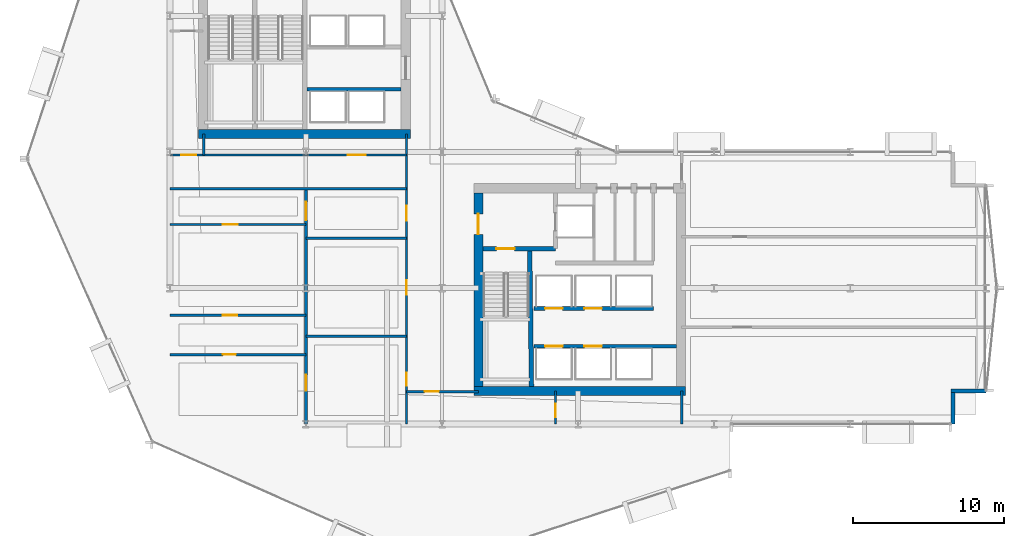
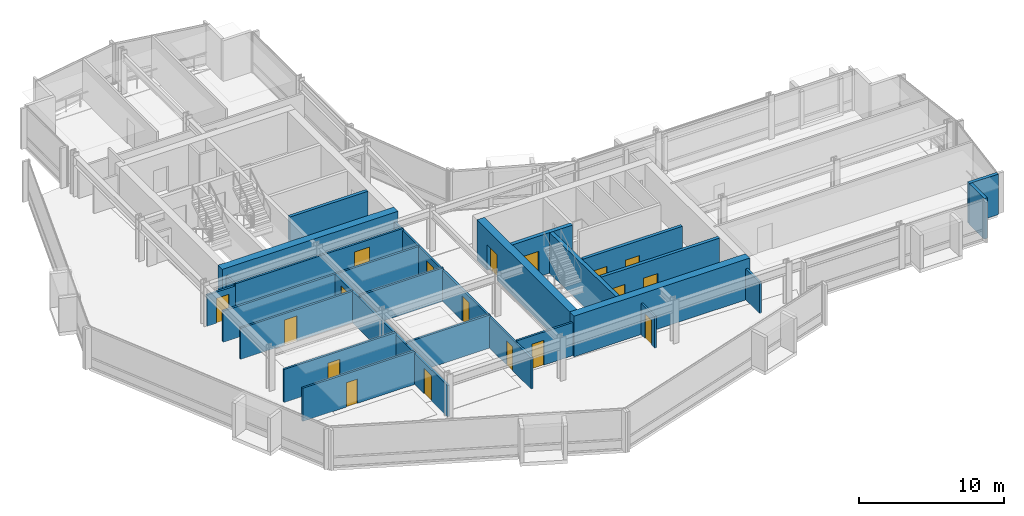
# One storey, part 27 of 34: 24 walls, 18 doors, 18 openings.
"""IFC4 building model written with IfcOpenShell, lengths in metres."""

from ifc_helpers import new_model, si_unit, direction, frame, frame_2d, origin, place, context, subcontext, project, spatial, rectangle, extrude, material, layer, layer_set, type_object, element, fill, save


model = new_model("IFC4")

# Units and contexts
model_context = context("Model", 3, precision=1e-05, world=origin(), true_north=direction((0.0, 1.0)))
body_context = subcontext(model_context, "Body", "Model", "MODEL_VIEW")
ifc_project = project(units=[si_unit("LENGTHUNIT", "METRE"), si_unit("AREAUNIT", "SQUARE_METRE"), si_unit("VOLUMEUNIT", "CUBIC_METRE"), si_unit("PLANEANGLEUNIT", "RADIAN"), si_unit("MASSUNIT", "GRAM", prefix="KILO")], contexts=[model_context])

# Site, building, storey
site_placement = place(None, origin())
site = spatial("IfcSite", under=ifc_project, at=site_placement, CompositionType="ELEMENT")
building_placement = place(site_placement, origin())
building = spatial("IfcBuilding", under=site, at=building_placement, Name="Solvaryn Broadcast Tower", CompositionType="ELEMENT")
storey_placement = place(building_placement, frame((0.0, 0.0, 43.39990234375)))
storey = spatial("IfcBuildingStorey", under=building, at=storey_placement, Name="L09", CompositionType="ELEMENT", Elevation=43.39990234375)

# Walls
ifc_material_1 = material(Name="Concrete f'c 70 MPa", Category="concrete")
ifc_layer_1 = layer(ifc_material_1, 0.60009765625)
ifc_layer_set_1 = layer_set([ifc_layer_1], Name="CW-SHEAR-600")
wall_type_1 = type_object("IfcWallType", Name="CW-SHEAR-600", PredefinedType="SHEAR", material=ifc_layer_set_1)
for number, where, z_axis, x_axis, name in (
    (1, (10.89990234375, 28.199951171875, 0.0), (0.0, 0.0, 1.0), (1.0, 0.0, 0.0), "L09 West Core South Shear Wall"),
    (2, (29.10009765625, 11.199951171875, 0.0), (0.0, 0.0, 1.0), (1.0, 0.0, 0.0), "L09 East Core South Shear Wall"),
):
    element("IfcWall", number, at=place(storey_placement, frame(where, z_axis=z_axis, x_axis=x_axis)), inside=storey, type_object=wall_type_1, Name=name, PredefinedType="SHEAR", context=body_context, shape_type="SweptSolid", body=[
        extrude(rectangle(XDim=14.0, YDim=0.60009765625, at=frame_2d((7.0, 0.0))), origin(), (0.0, 0.0, 1.0), 3.420166015625),
    ])

# Wall, opening, door
wall_1_placement = place(storey_placement, frame((29.39990234375, 24.300048828125, 0.0), z_axis=(0.0, 0.0, 1.0), x_axis=(0.0, -1.0, 0.0)))
wall_1 = element("IfcWall", 3, at=wall_1_placement, inside=storey, type_object=wall_type_1, Name="L09 East Core West Shear Wall", PredefinedType="SHEAR", context=body_context, shape_type="SweptSolid", body=[
    extrude(rectangle(XDim=12.800048828125, YDim=0.60009765625, at=frame_2d((6.39990234375, 0.0))), origin(), (0.0, 0.0, 1.0), 3.420166015625),
])
opening_1_placement = place(wall_1_placement, frame((1.39990234375, 0.0, 0.0)))
opening_1 = element("IfcOpeningElement", 4, at=opening_1_placement, cuts=wall_1, Name="Opening FD90B", PredefinedType="OPENING", context=body_context, shape_type="SweptSolid", body=[
    extrude(rectangle(XDim=1.35009765625, YDim=2.14990234375, at=frame_2d((0.675048828125, 1.074951171875))), frame((0.0, 0.31005859375, 0.0), z_axis=(0.0, -1.0, 0.0), x_axis=(1.0, 0.0, 0.0)), (0.0, 0.0, 1.0), 0.6201171875),
])
ifc_material_2 = material(Name="Flush Acoustic Steel and Timber Door Assembly", Category="steel")
door_type_1 = type_object("IfcDoorType", Name="FD90-LOBBY-1350X2150", OperationType="NOTDEFINED", PredefinedType="DOOR", material=ifc_material_2)
door_1_placement = place(opening_1_placement, origin())
door_1 = element("IfcDoor", 5, at=door_1_placement, inside=storey, type_object=door_type_1, Name="L09 East FSAE Lobby Door", OperationType="SINGLE_SWING_RIGHT", OverallHeight=2.14990234375, OverallWidth=1.35009765625, PredefinedType="DOOR", context=body_context, shape_type="SweptSolid", body=[
    extrude(rectangle(XDim=1.35009765625, YDim=2.14990234375, at=frame_2d((0.675048828125, 1.074951171875))), frame((0.0, 0.02490234375, 0.0), z_axis=(0.0, -1.0, 0.0), x_axis=(1.0, 0.0, 0.0)), (0.0, 0.0, 1.0), 0.050048828125),
])
fill(opening_1, door_1)

# Walls
ifc_material_3 = material(Name="Concrete f'c 50 MPa", Category="concrete")
ifc_layer_2 = layer(ifc_material_3, 0.260009765625)
ifc_layer_set_2 = layer_set([ifc_layer_2], Name="EW-PIER-260")
wall_type_2 = type_object("IfcWallType", Name="EW-PIER-260", PredefinedType="SOLIDWALL", material=ifc_layer_set_2)
wall_2_placement = place(storey_placement, frame((60.800048828125, 9.0, 0.0), z_axis=(0.0, 0.0, 1.0), x_axis=(0.0, 1.0, 0.0)))
element("IfcWall", 6, at=wall_2_placement, inside=storey, type_object=wall_type_2, Name="L09 Notched Corner Pier Wall NSE1", PredefinedType="SOLIDWALL", context=body_context, shape_type="SweptSolid", body=[
    extrude(rectangle(XDim=2.080078125, YDim=0.260009765625, at=frame_2d((1.0400390625, 0.0))), origin(), (0.0, 0.0, 1.0), 3.420166015625),
])
wall_3_placement = place(storey_placement, frame((60.679931640625, 11.199951171875, 0.0), z_axis=(0.0, 0.0, 1.0), x_axis=(1.0, 0.0, 0.0)))
element("IfcWall", 7, at=wall_3_placement, inside=storey, type_object=wall_type_2, Name="L09 Notched Corner Pier Wall NSE2", PredefinedType="SOLIDWALL", context=body_context, shape_type="SweptSolid", body=[
    extrude(rectangle(XDim=2.320068359375, YDim=0.260009765625, at=frame_2d((1.16015625, 0.0))), origin(), (0.0, 0.0, 1.0), 3.420166015625),
])

# Wall, opening, door
ifc_material_4 = material(Name="Metal-Stud Service Core Partition")
ifc_layer_3 = layer(ifc_material_4, 0.14990234375)
ifc_layer_set_3 = layer_set([ifc_layer_3], Name="IW-PART-150")
wall_type_3 = type_object("IfcWallType", Name="IW-PART-150", PredefinedType="PARTITIONING", material=ifc_layer_set_3)
wall_4_placement = place(storey_placement, frame((34.5, 9.0, 0.0), z_axis=(0.0, 0.0, 1.0), x_axis=(0.0, 1.0, 0.0)))
wall_4 = element("IfcWall", 8, at=wall_4_placement, inside=storey, type_object=wall_type_3, Name="L09 Interior Partition IW-L09-SC-V", PredefinedType="PARTITIONING", context=body_context, shape_type="SweptSolid", body=[
    extrude(rectangle(XDim=2.199951171875, YDim=0.14990234375, at=frame_2d((1.10009765625, 0.0))), origin(), (0.0, 0.0, 1.0), 2.627197265625),
])
opening_2_placement = place(wall_4_placement, frame((0.449951171875, 0.0, 0.0)))
opening_2 = element("IfcOpeningElement", 9, at=opening_2_placement, cuts=wall_4, Name="Opening FD60C", PredefinedType="OPENING", context=body_context, shape_type="SweptSolid", body=[
    extrude(rectangle(XDim=0.89990234375, YDim=2.10009765625, at=frame_2d((0.449951171875, 1.050048828125))), frame((0.0, 0.0849609375, 0.0), z_axis=(0.0, -1.0, 0.0), x_axis=(1.0, 0.0, 0.0)), (0.0, 0.0, 1.0), 0.169921875),
])
ifc_material_5 = material(Name="Flush Acoustic Steel and Timber Door Assembly", Category="steel")
door_type_2 = type_object("IfcDoorType", Name="FD60-SERV-900X2100", OperationType="NOTDEFINED", PredefinedType="DOOR", material=ifc_material_5)
door_2_placement = place(opening_2_placement, origin())
door_2 = element("IfcDoor", 10, at=door_2_placement, inside=storey, type_object=door_type_2, Name="L09 Door DR-L09-SC1", OperationType="SINGLE_SWING_LEFT", OverallHeight=2.10009765625, OverallWidth=0.89990234375, PredefinedType="DOOR", context=body_context, shape_type="SweptSolid", body=[
    extrude(rectangle(XDim=0.89990234375, YDim=2.10009765625, at=frame_2d((0.449951171875, 1.050048828125))), frame((0.0, 0.02490234375, 0.0), z_axis=(0.0, -1.0, 0.0), x_axis=(1.0, 0.0, 0.0)), (0.0, 0.0, 1.0), 0.050048828125),
])
fill(opening_2, door_2)

ifc_material_6 = material(Name="Metal-Stud Gypsum Office Partition")
ifc_layer_4 = layer(ifc_material_6, 0.159912109375)
ifc_layer_set_4 = layer_set([ifc_layer_4], Name="IW-PART-160")
wall_type_4 = type_object("IfcWallType", Name="IW-PART-160", PredefinedType="PARTITIONING", material=ifc_layer_set_4)
wall_5_placement = place(storey_placement, frame((9.0, 26.800048828125, 0.0), z_axis=(0.0, 0.0, 1.0), x_axis=(1.0, 0.0, 0.0)))
wall_5 = element("IfcWall", 11, at=wall_5_placement, inside=storey, type_object=wall_type_4, Name="L09 Interior Partition IW-L09-WM-S", PredefinedType="PARTITIONING", context=body_context, shape_type="SweptSolid", body=[
    extrude(rectangle(XDim=2.25, YDim=0.159912109375, at=frame_2d((1.125, 0.0))), origin(), (0.0, 0.0, 1.0), 2.627197265625),
])
opening_3_placement = place(wall_5_placement, frame((0.75, 0.0, 0.0)))
opening_3 = element("IfcOpeningElement", 12, at=opening_3_placement, cuts=wall_5, Name="Opening ID02", PredefinedType="OPENING", context=body_context, shape_type="SweptSolid", body=[
    extrude(rectangle(XDim=1.0, YDim=2.10009765625, at=frame_2d((0.5, 1.050048828125))), frame((0.0, 0.090087890625, 0.0), z_axis=(0.0, -1.0, 0.0), x_axis=(1.0, 0.0, 0.0)), (0.0, 0.0, 1.0), 0.179931640625),
])
ifc_material_7 = material(Name="Flush Acoustic Steel and Timber Door Assembly", Category="steel")
door_type_3 = type_object("IfcDoorType", Name="ID-02-1000X2100", OperationType="NOTDEFINED", PredefinedType="DOOR", material=ifc_material_7)
door_3_placement = place(opening_3_placement, origin())
door_3 = element("IfcDoor", 13, at=door_3_placement, inside=storey, type_object=door_type_3, Name="L09 Door DR-L09-WM0", OperationType="SINGLE_SWING_RIGHT", OverallHeight=2.10009765625, OverallWidth=1.0, PredefinedType="DOOR", context=body_context, shape_type="SweptSolid", body=[
    extrude(rectangle(XDim=1.0, YDim=2.10009765625, at=frame_2d((0.5, 1.050048828125))), frame((0.0, 0.02490234375, 0.0), z_axis=(0.0, -1.0, 0.0), x_axis=(1.0, 0.0, 0.0)), (0.0, 0.0, 1.0), 0.050048828125),
])
fill(opening_3, door_3)

# Wall, openings, doors
wall_6_placement = place(storey_placement, frame((24.64990234375, 9.0, 0.0), z_axis=(0.0, 0.0, 1.0), x_axis=(0.0, 1.0, 0.0)))
wall_6 = element("IfcWall", 14, at=wall_6_placement, inside=storey, type_object=wall_type_4, Name="L09 Interior Partition IW-L09-SW-EB", PredefinedType="PARTITIONING", context=body_context, shape_type="SweptSolid", body=[
    extrude(rectangle(XDim=19.199951171875, YDim=0.159912109375, at=frame_2d((9.60009765625, 0.0))), origin(), (0.0, 0.0, 1.0), 2.627197265625),
])
opening_4_placement = place(wall_6_placement, frame((2.550048828125, 0.0, 0.0)))
opening_4 = element("IfcOpeningElement", 15, at=opening_4_placement, cuts=wall_6, Name="Opening ID07", PredefinedType="OPENING", context=body_context, shape_type="SweptSolid", body=[
    extrude(rectangle(XDim=0.860107421875, YDim=2.050048828125, at=frame_2d((0.43017578125, 1.02490234375))), frame((0.0, 0.090087890625, 0.0), z_axis=(0.0, -1.0, 0.0), x_axis=(1.0, 0.0, 0.0)), (0.0, 0.0, 1.0), 0.179931640625),
])
opening_5_placement = place(wall_6_placement, frame((8.550048828125, 0.0, 0.0)))
opening_5 = element("IfcOpeningElement", 16, at=opening_5_placement, cuts=wall_6, Name="Opening ID01", PredefinedType="OPENING", context=body_context, shape_type="SweptSolid", body=[
    extrude(rectangle(XDim=0.949951171875, YDim=2.10009765625, at=frame_2d((0.47509765625, 1.050048828125))), frame((0.0, 0.090087890625, 0.0), z_axis=(0.0, -1.0, 0.0), x_axis=(1.0, 0.0, 0.0)), (0.0, 0.0, 1.0), 0.179931640625),
])
opening_6_placement = place(wall_6_placement, frame((13.43994140625, 0.0, 0.0)))
opening_6 = element("IfcOpeningElement", 17, at=opening_6_placement, cuts=wall_6, Name="Opening ID02", PredefinedType="OPENING", context=body_context, shape_type="SweptSolid", body=[
    extrude(rectangle(XDim=1.0, YDim=2.10009765625, at=frame_2d((0.5, 1.050048828125))), frame((0.0, 0.090087890625, 0.0), z_axis=(0.0, -1.0, 0.0), x_axis=(1.0, 0.0, 0.0)), (0.0, 0.0, 1.0), 0.179931640625),
])
ifc_material_8 = material(Name="Flush Acoustic Steel and Timber Door Assembly", Category="steel")
door_type_4 = type_object("IfcDoorType", Name="ID-01-950X2100", OperationType="NOTDEFINED", PredefinedType="DOOR", material=ifc_material_8)
door_4_placement = place(opening_5_placement, origin())
door_4 = element("IfcDoor", 18, at=door_4_placement, inside=storey, type_object=door_type_4, Name="L09 Door DR-L09-SWE-2", OperationType="SINGLE_SWING_RIGHT", OverallHeight=2.10009765625, OverallWidth=0.949951171875, PredefinedType="DOOR", context=body_context, shape_type="SweptSolid", body=[
    extrude(rectangle(XDim=0.949951171875, YDim=2.10009765625, at=frame_2d((0.47509765625, 1.050048828125))), frame((0.0, 0.02490234375, 0.0), z_axis=(0.0, -1.0, 0.0), x_axis=(1.0, 0.0, 0.0)), (0.0, 0.0, 1.0), 0.050048828125),
])
fill(opening_5, door_4)
door_5_placement = place(opening_6_placement, origin())
door_5 = element("IfcDoor", 19, at=door_5_placement, inside=storey, type_object=door_type_3, Name="L09 Door DR-L09-SWE-3", OperationType="SINGLE_SWING_LEFT", OverallHeight=2.10009765625, OverallWidth=1.0, PredefinedType="DOOR", context=body_context, shape_type="SweptSolid", body=[
    extrude(rectangle(XDim=1.0, YDim=2.10009765625, at=frame_2d((0.5, 1.050048828125))), frame((0.0, 0.02490234375, 0.0), z_axis=(0.0, -1.0, 0.0), x_axis=(1.0, 0.0, 0.0)), (0.0, 0.0, 1.0), 0.050048828125),
])
fill(opening_6, door_5)
ifc_material_9 = material(Name="Flush Acoustic Steel and Timber Door Assembly", Category="steel")
door_type_5 = type_object("IfcDoorType", Name="ID-07-860X2050", OperationType="NOTDEFINED", PredefinedType="DOOR", material=ifc_material_9)
door_6_placement = place(opening_4_placement, origin())
door_6 = element("IfcDoor", 20, at=door_6_placement, inside=storey, type_object=door_type_5, Name="L09 Door DR-L09-SWE-1", OperationType="SINGLE_SWING_LEFT", OverallHeight=2.050048828125, OverallWidth=0.860107421875, PredefinedType="DOOR", context=body_context, shape_type="SweptSolid", body=[
    extrude(rectangle(XDim=0.860107421875, YDim=2.050048828125, at=frame_2d((0.43017578125, 1.02490234375))), frame((0.0, 0.02490234375, 0.0), z_axis=(0.0, -1.0, 0.0), x_axis=(1.0, 0.0, 0.0)), (0.0, 0.0, 1.0), 0.050048828125),
])
fill(opening_4, door_6)

# Wall
wall_7_placement = place(storey_placement, frame((9.0, 24.580078125, 0.0), z_axis=(0.0, 0.0, 1.0), x_axis=(1.0, 0.0, 0.0)))
element("IfcWall", 21, at=wall_7_placement, inside=storey, type_object=wall_type_4, Name="L09 Interior Partition IW-L09-SW-NB", PredefinedType="PARTITIONING", context=body_context, shape_type="SweptSolid", body=[
    extrude(rectangle(XDim=15.64990234375, YDim=0.159912109375, at=frame_2d((7.824951171875, 0.0))), origin(), (0.0, 0.0, 1.0), 2.627197265625),
])

# Wall, opening, door
wall_8_placement = place(storey_placement, frame((11.25, 26.800048828125, 0.0), z_axis=(0.0, 0.0, 1.0), x_axis=(1.0, 0.0, 0.0)))
wall_8 = element("IfcWall", 22, at=wall_8_placement, inside=storey, type_object=wall_type_4, Name="L09 Interior Partition IW-L09-SW-N2", PredefinedType="PARTITIONING", context=body_context, shape_type="SweptSolid", body=[
    extrude(rectangle(XDim=13.39990234375, YDim=0.159912109375, at=frame_2d((6.699951171875, 0.0))), origin(), (0.0, 0.0, 1.0), 2.7890625),
])
opening_7_placement = place(wall_8_placement, frame((9.5, 0.0, 0.0)))
opening_7 = element("IfcOpeningElement", 23, at=opening_7_placement, cuts=wall_8, Name="Opening ID04", PredefinedType="OPENING", context=body_context, shape_type="SweptSolid", body=[
    extrude(rectangle(XDim=1.199951171875, YDim=2.14990234375, at=frame_2d((0.60009765625, 1.074951171875))), frame((0.0, 0.090087890625, 0.0), z_axis=(0.0, -1.0, 0.0), x_axis=(1.0, 0.0, 0.0)), (0.0, 0.0, 1.0), 0.179931640625),
])
ifc_material_10 = material(Name="Flush Acoustic Steel and Timber Door Assembly", Category="steel")
door_type_6 = type_object("IfcDoorType", Name="ID-04-1200X2150", OperationType="NOTDEFINED", PredefinedType="DOOR", material=ifc_material_10)
door_7_placement = place(opening_7_placement, origin())
door_7 = element("IfcDoor", 24, at=door_7_placement, inside=storey, type_object=door_type_6, Name="L09 Door DR-L09-SW-ALC", OperationType="SINGLE_SWING_RIGHT", OverallHeight=2.14990234375, OverallWidth=1.199951171875, PredefinedType="DOOR", context=body_context, shape_type="SweptSolid", body=[
    extrude(rectangle(XDim=1.199951171875, YDim=2.14990234375, at=frame_2d((0.60009765625, 1.074951171875))), frame((0.0, 0.02490234375, 0.0), z_axis=(0.0, -1.0, 0.0), x_axis=(1.0, 0.0, 0.0)), (0.0, 0.0, 1.0), 0.050048828125),
])
fill(opening_7, door_7)

# Walls
wall_9_placement = place(storey_placement, frame((11.25, 26.800048828125, 0.0), z_axis=(0.0, 0.0, 1.0), x_axis=(0.0, 1.0, 0.0)))
element("IfcWall", 25, at=wall_9_placement, inside=storey, type_object=wall_type_4, Name="L09 Interior Partition IW-L09-SW-ALW", PredefinedType="PARTITIONING", context=body_context, shape_type="SweptSolid", body=[
    extrude(rectangle(XDim=1.39990234375, YDim=0.159912109375, at=frame_2d((0.699951171875, 0.0))), origin(), (0.0, 0.0, 1.0), 2.7890625),
])
wall_10_placement = place(storey_placement, frame((18.0, 14.800048828125, 0.0), z_axis=(0.0, 0.0, 1.0), x_axis=(1.0, 0.0, 0.0)))
element("IfcWall", 26, at=wall_10_placement, inside=storey, type_object=wall_type_4, Name="L09 Interior Partition IW-L09-SWE-H1", PredefinedType="PARTITIONING", context=body_context, shape_type="SweptSolid", body=[
    extrude(rectangle(XDim=6.64990234375, YDim=0.159912109375, at=frame_2d((3.324951171875, 0.0))), origin(), (0.0, 0.0, 1.0), 2.7890625),
])
wall_11_placement = place(storey_placement, frame((18.0, 21.300048828125, 0.0), z_axis=(0.0, 0.0, 1.0), x_axis=(1.0, 0.0, 0.0)))
element("IfcWall", 27, at=wall_11_placement, inside=storey, type_object=wall_type_4, Name="L09 Interior Partition IW-L09-SWE-H2", PredefinedType="PARTITIONING", context=body_context, shape_type="SweptSolid", body=[
    extrude(rectangle(XDim=6.64990234375, YDim=0.159912109375, at=frame_2d((3.324951171875, 0.0))), origin(), (0.0, 0.0, 1.0), 2.7919921875),
])

# Wall, opening, door
wall_12_placement = place(storey_placement, frame((9.0, 13.60009765625, 0.0), z_axis=(0.0, 0.0, 1.0), x_axis=(1.0, 0.0, 0.0)))
wall_12 = element("IfcWall", 28, at=wall_12_placement, inside=storey, type_object=wall_type_4, Name="L09 Interior Partition IW-L09-SWW-H1", PredefinedType="PARTITIONING", context=body_context, shape_type="SweptSolid", body=[
    extrude(rectangle(XDim=9.0, YDim=0.159912109375, at=frame_2d((4.5, 0.0))), origin(), (0.0, 0.0, 1.0), 2.7919921875),
])
opening_8_placement = place(wall_12_placement, frame((3.5, 0.0, 0.0)))
opening_8 = element("IfcOpeningElement", 29, at=opening_8_placement, cuts=wall_12, Name="Opening ID07", PredefinedType="OPENING", context=body_context, shape_type="SweptSolid", body=[
    extrude(rectangle(XDim=0.860107421875, YDim=2.050048828125, at=frame_2d((0.43017578125, 1.02490234375))), frame((0.0, 0.090087890625, 0.0), z_axis=(0.0, -1.0, 0.0), x_axis=(1.0, 0.0, 0.0)), (0.0, 0.0, 1.0), 0.179931640625),
])
door_8_placement = place(opening_8_placement, origin())
door_8 = element("IfcDoor", 30, at=door_8_placement, inside=storey, type_object=door_type_5, Name="L09 Door DR-L09-SWW-1", OperationType="SINGLE_SWING_RIGHT", OverallHeight=2.050048828125, OverallWidth=0.860107421875, PredefinedType="DOOR", context=body_context, shape_type="SweptSolid", body=[
    extrude(rectangle(XDim=0.860107421875, YDim=2.050048828125, at=frame_2d((0.43017578125, 1.02490234375))), frame((0.0, 0.02490234375, 0.0), z_axis=(0.0, -1.0, 0.0), x_axis=(1.0, 0.0, 0.0)), (0.0, 0.0, 1.0), 0.050048828125),
])
fill(opening_8, door_8)

wall_13_placement = place(storey_placement, frame((9.0, 16.199951171875, 0.0), z_axis=(0.0, 0.0, 1.0), x_axis=(1.0, 0.0, 0.0)))
wall_13 = element("IfcWall", 31, at=wall_13_placement, inside=storey, type_object=wall_type_4, Name="L09 Interior Partition IW-L09-SWW-H2", PredefinedType="PARTITIONING", context=body_context, shape_type="SweptSolid", body=[
    extrude(rectangle(XDim=9.0, YDim=0.159912109375, at=frame_2d((4.5, 0.0))), origin(), (0.0, 0.0, 1.0), 2.7919921875),
])
opening_9_placement = place(wall_13_placement, frame((3.5, 0.0, 0.0)))
opening_9 = element("IfcOpeningElement", 32, at=opening_9_placement, cuts=wall_13, Name="Opening ID01", PredefinedType="OPENING", context=body_context, shape_type="SweptSolid", body=[
    extrude(rectangle(XDim=0.949951171875, YDim=2.10009765625, at=frame_2d((0.47509765625, 1.050048828125))), frame((0.0, 0.090087890625, 0.0), z_axis=(0.0, -1.0, 0.0), x_axis=(1.0, 0.0, 0.0)), (0.0, 0.0, 1.0), 0.179931640625),
])
door_9_placement = place(opening_9_placement, origin())
door_9 = element("IfcDoor", 33, at=door_9_placement, inside=storey, type_object=door_type_4, Name="L09 Door DR-L09-SWW-2", OperationType="SINGLE_SWING_LEFT", OverallHeight=2.10009765625, OverallWidth=0.949951171875, PredefinedType="DOOR", context=body_context, shape_type="SweptSolid", body=[
    extrude(rectangle(XDim=0.949951171875, YDim=2.10009765625, at=frame_2d((0.47509765625, 1.050048828125))), frame((0.0, 0.02490234375, 0.0), z_axis=(0.0, -1.0, 0.0), x_axis=(1.0, 0.0, 0.0)), (0.0, 0.0, 1.0), 0.050048828125),
])
fill(opening_9, door_9)

wall_14_placement = place(storey_placement, frame((9.0, 22.199951171875, 0.0), z_axis=(0.0, 0.0, 1.0), x_axis=(1.0, 0.0, 0.0)))
wall_14 = element("IfcWall", 34, at=wall_14_placement, inside=storey, type_object=wall_type_4, Name="L09 Interior Partition IW-L09-SWW-H3", PredefinedType="PARTITIONING", context=body_context, shape_type="SweptSolid", body=[
    extrude(rectangle(XDim=9.0, YDim=0.159912109375, at=frame_2d((4.5, 0.0))), origin(), (0.0, 0.0, 1.0), 2.627197265625),
])
opening_10_placement = place(wall_14_placement, frame((3.5, 0.0, 0.0)))
opening_10 = element("IfcOpeningElement", 35, at=opening_10_placement, cuts=wall_14, Name="Opening ID02", PredefinedType="OPENING", context=body_context, shape_type="SweptSolid", body=[
    extrude(rectangle(XDim=1.0, YDim=2.10009765625, at=frame_2d((0.5, 1.050048828125))), frame((0.0, 0.090087890625, 0.0), z_axis=(0.0, -1.0, 0.0), x_axis=(1.0, 0.0, 0.0)), (0.0, 0.0, 1.0), 0.179931640625),
])
door_10_placement = place(opening_10_placement, origin())
door_10 = element("IfcDoor", 36, at=door_10_placement, inside=storey, type_object=door_type_3, Name="L09 Door DR-L09-SWW-3", OperationType="SINGLE_SWING_RIGHT", OverallHeight=2.10009765625, OverallWidth=1.0, PredefinedType="DOOR", context=body_context, shape_type="SweptSolid", body=[
    extrude(rectangle(XDim=1.0, YDim=2.10009765625, at=frame_2d((0.5, 1.050048828125))), frame((0.0, 0.02490234375, 0.0), z_axis=(0.0, -1.0, 0.0), x_axis=(1.0, 0.0, 0.0)), (0.0, 0.0, 1.0), 0.050048828125),
])
fill(opening_10, door_10)

wall_15_placement = place(storey_placement, frame((24.64990234375, 11.14990234375, 0.0), z_axis=(0.0, 0.0, 1.0), x_axis=(1.0, 0.0, 0.0)))
wall_15 = element("IfcWall", 37, at=wall_15_placement, inside=storey, type_object=wall_type_4, Name="L09 Interior Partition IW-L09-SC-N", PredefinedType="PARTITIONING", context=body_context, shape_type="SweptSolid", body=[
    extrude(rectangle(XDim=4.75, YDim=0.159912109375, at=frame_2d((2.375, 0.0))), origin(), (0.0, 0.0, 1.0), 2.7919921875),
])
opening_11_placement = place(wall_15_placement, frame((1.199951171875, 0.0, 0.0)))
opening_11 = element("IfcOpeningElement", 38, at=opening_11_placement, cuts=wall_15, Name="Opening ID01", PredefinedType="OPENING", context=body_context, shape_type="SweptSolid", body=[
    extrude(rectangle(XDim=0.949951171875, YDim=2.10009765625, at=frame_2d((0.47509765625, 1.050048828125))), frame((0.0, 0.090087890625, 0.0), z_axis=(0.0, -1.0, 0.0), x_axis=(1.0, 0.0, 0.0)), (0.0, 0.0, 1.0), 0.179931640625),
])
door_11_placement = place(opening_11_placement, origin())
door_11 = element("IfcDoor", 39, at=door_11_placement, inside=storey, type_object=door_type_4, Name="L09 Door DR-L09-SC0", OperationType="SINGLE_SWING_RIGHT", OverallHeight=2.10009765625, OverallWidth=0.949951171875, PredefinedType="DOOR", context=body_context, shape_type="SweptSolid", body=[
    extrude(rectangle(XDim=0.949951171875, YDim=2.10009765625, at=frame_2d((0.47509765625, 1.050048828125))), frame((0.0, 0.02490234375, 0.0), z_axis=(0.0, -1.0, 0.0), x_axis=(1.0, 0.0, 0.0)), (0.0, 0.0, 1.0), 0.050048828125),
])
fill(opening_11, door_11)

# Wall
wall_16_placement = place(storey_placement, frame((42.85009765625, 9.0, 0.0), z_axis=(0.0, 0.0, 1.0), x_axis=(0.0, 1.0, 0.0)))
element("IfcWall", 40, at=wall_16_placement, inside=storey, type_object=wall_type_4, Name="L09 Interior Partition IW-L09-SC-E", PredefinedType="PARTITIONING", context=body_context, shape_type="SweptSolid", body=[
    extrude(rectangle(XDim=2.199951171875, YDim=0.159912109375, at=frame_2d((1.10009765625, 0.0))), origin(), (0.0, 0.0, 1.0), 2.627197265625),
])

# Wall, openings, doors
ifc_material_11 = material(Name="Acoustic Metal-Stud Gypsum Partition")
ifc_layer_5 = layer(ifc_material_11, 0.179931640625)
ifc_layer_set_5 = layer_set([ifc_layer_5], Name="IW-PART-180")
wall_type_5 = type_object("IfcWallType", Name="IW-PART-180", PredefinedType="PARTITIONING", material=ifc_layer_set_5)
wall_17_placement = place(storey_placement, frame((18.0, 9.0, 0.0), z_axis=(0.0, 0.0, 1.0), x_axis=(0.0, 1.0, 0.0)))
wall_17 = element("IfcWall", 41, at=wall_17_placement, inside=storey, type_object=wall_type_5, Name="L09 Interior Partition IW-L09-SW-VX", PredefinedType="PARTITIONING", context=body_context, shape_type="SweptSolid", body=[
    extrude(rectangle(XDim=15.580078125, YDim=0.179931640625, at=frame_2d((7.7900390625, 0.0))), origin(), (0.0, 0.0, 1.0), 2.627197265625),
])
opening_12_placement = place(wall_17_placement, frame((2.199951171875, 0.0, 0.0)))
opening_12 = element("IfcOpeningElement", 42, at=opening_12_placement, cuts=wall_17, Name="Opening ID03", PredefinedType="OPENING", context=body_context, shape_type="SweptSolid", body=[
    extrude(rectangle(XDim=1.050048828125, YDim=2.14990234375, at=frame_2d((0.52490234375, 1.074951171875))), frame((0.0, 0.099853515625, 0.0), z_axis=(0.0, -1.0, 0.0), x_axis=(1.0, 0.0, 0.0)), (0.0, 0.0, 1.0), 0.199951171875),
])
opening_13_placement = place(wall_17_placement, frame((13.5, 0.0, 0.0)))
opening_13 = element("IfcOpeningElement", 43, at=opening_13_placement, cuts=wall_17, Name="Opening ID04", PredefinedType="OPENING", context=body_context, shape_type="SweptSolid", body=[
    extrude(rectangle(XDim=1.199951171875, YDim=2.14990234375, at=frame_2d((0.60009765625, 1.074951171875))), frame((0.0, 0.099853515625, 0.0), z_axis=(0.0, -1.0, 0.0), x_axis=(1.0, 0.0, 0.0)), (0.0, 0.0, 1.0), 0.199951171875),
])
ifc_material_12 = material(Name="Flush Acoustic Steel and Timber Door Assembly", Category="steel")
door_type_7 = type_object("IfcDoorType", Name="ID-03-1050X2150", OperationType="NOTDEFINED", PredefinedType="DOOR", material=ifc_material_12)
door_12_placement = place(opening_12_placement, origin())
door_12 = element("IfcDoor", 44, at=door_12_placement, inside=storey, type_object=door_type_7, Name="L09 Door DR-L09-SWW-X1", OperationType="SINGLE_SWING_RIGHT", OverallHeight=2.14990234375, OverallWidth=1.050048828125, PredefinedType="DOOR", context=body_context, shape_type="SweptSolid", body=[
    extrude(rectangle(XDim=1.050048828125, YDim=2.14990234375, at=frame_2d((0.52490234375, 1.074951171875))), frame((0.0, 0.02490234375, 0.0), z_axis=(0.0, -1.0, 0.0), x_axis=(1.0, 0.0, 0.0)), (0.0, 0.0, 1.0), 0.050048828125),
])
fill(opening_12, door_12)
door_13_placement = place(opening_13_placement, origin())
door_13 = element("IfcDoor", 45, at=door_13_placement, inside=storey, type_object=door_type_6, Name="L09 Door DR-L09-SWW-X2", OperationType="SINGLE_SWING_LEFT", OverallHeight=2.14990234375, OverallWidth=1.199951171875, PredefinedType="DOOR", context=body_context, shape_type="SweptSolid", body=[
    extrude(rectangle(XDim=1.199951171875, YDim=2.14990234375, at=frame_2d((0.60009765625, 1.074951171875))), frame((0.0, 0.02490234375, 0.0), z_axis=(0.0, -1.0, 0.0), x_axis=(1.0, 0.0, 0.0)), (0.0, 0.0, 1.0), 0.050048828125),
])
fill(opening_13, door_13)

# Wall
ifc_material_13 = material(Name="Concrete f'c 60 MPa", Category="concrete")
ifc_layer_6 = layer(ifc_material_13, 0.25)
ifc_layer_set_6 = layer_set([ifc_layer_6], Name="SW-SHAFT-250")
wall_type_6 = type_object("IfcWallType", Name="SW-SHAFT-250", PredefinedType="PARTITIONING", material=ifc_layer_set_6)
wall_18_placement = place(storey_placement, frame((18.070068359375, 31.14990234375, 0.0), z_axis=(0.0, 0.0, 1.0), x_axis=(1.0, 0.0, 0.0)))
element("IfcWall", 46, at=wall_18_placement, inside=storey, type_object=wall_type_6, Name="L09 High-Rise Lift Bank South Wall", PredefinedType="PARTITIONING", context=body_context, shape_type="SweptSolid", body=[
    extrude(rectangle(XDim=6.22998046875, YDim=0.25, at=frame_2d((3.114990234375, 0.0))), origin(), (0.0, 0.0, 1.0), 3.420166015625),
])

# Wall, openings, doors
wall_19_placement = place(storey_placement, frame((33.070068359375, 14.14990234375, 0.0), z_axis=(0.0, 0.0, 1.0), x_axis=(1.0, 0.0, 0.0)))
wall_19 = element("IfcWall", 47, at=wall_19_placement, inside=storey, type_object=wall_type_6, Name="L09 East Lift Bank South Wall", PredefinedType="PARTITIONING", context=body_context, shape_type="SweptSolid", body=[
    extrude(rectangle(XDim=9.429931640625, YDim=0.25, at=frame_2d((4.71484375, 0.0))), origin(), (0.0, 0.0, 1.0), 3.420166015625),
])
opening_14_placement = place(wall_19_placement, frame((0.7548828125, 0.0, 0.0)))
opening_14 = element("IfcOpeningElement", 48, at=opening_14_placement, cuts=wall_19, Name="Opening LD01", PredefinedType="OPENING", context=body_context, shape_type="SweptSolid", body=[
    extrude(rectangle(XDim=1.14990234375, YDim=2.14990234375, at=frame_2d((0.574951171875, 1.074951171875))), frame((0.0, 0.135009765625, 0.0), z_axis=(0.0, -1.0, 0.0), x_axis=(1.0, 0.0, 0.0)), (0.0, 0.0, 1.0), 0.27001953125),
])
opening_15_placement = place(wall_19_placement, frame((3.35498046875, 0.0, 0.0)))
opening_15 = element("IfcOpeningElement", 49, at=opening_15_placement, cuts=wall_19, Name="Opening LD01", PredefinedType="OPENING", context=body_context, shape_type="SweptSolid", body=[
    extrude(rectangle(XDim=1.14990234375, YDim=2.14990234375, at=frame_2d((0.574951171875, 1.074951171875))), frame((0.0, 0.135009765625, 0.0), z_axis=(0.0, -1.0, 0.0), x_axis=(1.0, 0.0, 0.0)), (0.0, 0.0, 1.0), 0.27001953125),
])
ifc_material_14 = material(Name="Flush Acoustic Steel and Timber Door Assembly", Category="steel")
door_type_8 = type_object("IfcDoorType", Name="LD-LIFT-1150X2150", OperationType="NOTDEFINED", PredefinedType="DOOR", material=ifc_material_14)
door_14_placement = place(opening_14_placement, origin())
door_14 = element("IfcDoor", 50, at=door_14_placement, inside=storey, type_object=door_type_8, Name="L09 PL1 Lift Landing Door", OperationType="DOUBLE_DOOR_SLIDING", OverallHeight=2.14990234375, OverallWidth=1.14990234375, PredefinedType="DOOR", context=body_context, shape_type="SweptSolid", body=[
    extrude(rectangle(XDim=1.14990234375, YDim=2.14990234375, at=frame_2d((0.574951171875, 1.074951171875))), frame((0.0, 0.02490234375, 0.0), z_axis=(0.0, -1.0, 0.0), x_axis=(1.0, 0.0, 0.0)), (0.0, 0.0, 1.0), 0.050048828125),
])
fill(opening_14, door_14)
door_15_placement = place(opening_15_placement, origin())
door_15 = element("IfcDoor", 51, at=door_15_placement, inside=storey, type_object=door_type_8, Name="L09 PL2 Lift Landing Door", OperationType="DOUBLE_DOOR_SLIDING", OverallHeight=2.14990234375, OverallWidth=1.14990234375, PredefinedType="DOOR", context=body_context, shape_type="SweptSolid", body=[
    extrude(rectangle(XDim=1.14990234375, YDim=2.14990234375, at=frame_2d((0.574951171875, 1.074951171875))), frame((0.0, 0.02490234375, 0.0), z_axis=(0.0, -1.0, 0.0), x_axis=(1.0, 0.0, 0.0)), (0.0, 0.0, 1.0), 0.050048828125),
])
fill(opening_15, door_15)

wall_20_placement = place(storey_placement, frame((40.97998046875, 16.64990234375, 0.0), z_axis=(0.0, 0.0, 1.0), x_axis=(-1.0, 0.0, 0.0)))
wall_20 = element("IfcWall", 52, at=wall_20_placement, inside=storey, type_object=wall_type_6, Name="L09 East Lift Bank North Wall", PredefinedType="PARTITIONING", context=body_context, shape_type="SweptSolid", body=[
    extrude(rectangle(XDim=7.909912109375, YDim=0.25, at=frame_2d((3.955078125, 0.0))), origin(), (0.0, 0.0, 1.0), 3.420166015625),
])
opening_16_placement = place(wall_20_placement, frame((6.0048828125, 0.0, 0.0)))
opening_16 = element("IfcOpeningElement", 53, at=opening_16_placement, cuts=wall_20, Name="Opening LD01", PredefinedType="OPENING", context=body_context, shape_type="SweptSolid", body=[
    extrude(rectangle(XDim=1.14990234375, YDim=2.14990234375, at=frame_2d((0.574951171875, 1.074951171875))), frame((0.0, 0.135009765625, 0.0), z_axis=(0.0, -1.0, 0.0), x_axis=(1.0, 0.0, 0.0)), (0.0, 0.0, 1.0), 0.27001953125),
])
opening_17_placement = place(wall_20_placement, frame((3.405029296875, 0.0, 0.0)))
opening_17 = element("IfcOpeningElement", 54, at=opening_17_placement, cuts=wall_20, Name="Opening LD01", PredefinedType="OPENING", context=body_context, shape_type="SweptSolid", body=[
    extrude(rectangle(XDim=1.14990234375, YDim=2.14990234375, at=frame_2d((0.574951171875, 1.074951171875))), frame((0.0, 0.135009765625, 0.0), z_axis=(0.0, -1.0, 0.0), x_axis=(1.0, 0.0, 0.0)), (0.0, 0.0, 1.0), 0.27001953125),
])
door_16_placement = place(opening_16_placement, origin())
door_16 = element("IfcDoor", 55, at=door_16_placement, inside=storey, type_object=door_type_8, Name="L09 PL3 Lift Landing Door", OperationType="DOUBLE_DOOR_SLIDING", OverallHeight=2.14990234375, OverallWidth=1.14990234375, PredefinedType="DOOR", context=body_context, shape_type="SweptSolid", body=[
    extrude(rectangle(XDim=1.14990234375, YDim=2.14990234375, at=frame_2d((0.574951171875, 1.074951171875))), frame((0.0, 0.02490234375, 0.0), z_axis=(0.0, -1.0, 0.0), x_axis=(1.0, 0.0, 0.0)), (0.0, 0.0, 1.0), 0.050048828125),
])
fill(opening_16, door_16)
door_17_placement = place(opening_17_placement, origin())
door_17 = element("IfcDoor", 56, at=door_17_placement, inside=storey, type_object=door_type_8, Name="L09 PL4 Lift Landing Door", OperationType="DOUBLE_DOOR_SLIDING", OverallHeight=2.14990234375, OverallWidth=1.14990234375, PredefinedType="DOOR", context=body_context, shape_type="SweptSolid", body=[
    extrude(rectangle(XDim=1.14990234375, YDim=2.14990234375, at=frame_2d((0.574951171875, 1.074951171875))), frame((0.0, 0.02490234375, 0.0), z_axis=(0.0, -1.0, 0.0), x_axis=(1.0, 0.0, 0.0)), (0.0, 0.0, 1.0), 0.050048828125),
])
fill(opening_17, door_17)

# Wall
ifc_material_15 = material(Name="Concrete f'c 70 MPa", Category="concrete")
ifc_layer_7 = layer(ifc_material_15, 0.300048828125)
ifc_layer_set_7 = layer_set([ifc_layer_7], Name="SW-SHAFT-300")
wall_type_7 = type_object("IfcWallType", Name="SW-SHAFT-300", PredefinedType="SHEAR", material=ifc_layer_set_7)
wall_21_placement = place(storey_placement, frame((32.919921875, 11.5, 0.0), z_axis=(0.0, 0.0, 1.0), x_axis=(-0.013244407292, 0.999912288991, 0.0)))
element("IfcWall", 57, at=wall_21_placement, inside=storey, type_object=wall_type_7, Name="L09 Stair 3 East Shear Wall", PredefinedType="SHEAR", context=body_context, shape_type="SweptSolid", body=[
    extrude(rectangle(XDim=9.05078125, YDim=0.300048828125, at=frame_2d((4.525390625, 0.0))), origin(), (0.0, 0.0, 1.0), 3.420166015625),
])

# Wall, opening, door
wall_22_placement = place(storey_placement, frame((34.5, 20.60009765625, 0.0), z_axis=(0.0, 0.0, 1.0), x_axis=(-1.0, 0.0, 0.0)))
wall_22 = element("IfcWall", 58, at=wall_22_placement, inside=storey, type_object=wall_type_7, Name="L09 East FSAE Lobby South Wall", PredefinedType="SHEAR", context=body_context, shape_type="SweptSolid", body=[
    extrude(rectangle(XDim=4.800048828125, YDim=0.300048828125, at=frame_2d((2.39990234375, 0.0))), origin(), (0.0, 0.0, 1.0), 3.420166015625),
])
opening_18_placement = place(wall_22_placement, frame((2.699951171875, 0.0, 0.0)))
opening_18 = element("IfcOpeningElement", 59, at=opening_18_placement, cuts=wall_22, Name="Opening FD90A", PredefinedType="OPENING", context=body_context, shape_type="SweptSolid", body=[
    extrude(rectangle(XDim=1.199951171875, YDim=2.14990234375, at=frame_2d((0.60009765625, 1.074951171875))), frame((0.0, 0.159912109375, 0.0), z_axis=(0.0, -1.0, 0.0), x_axis=(1.0, 0.0, 0.0)), (0.0, 0.0, 1.0), 0.320068359375),
])
ifc_material_16 = material(Name="Flush Acoustic Steel and Timber Door Assembly", Category="steel")
door_type_9 = type_object("IfcDoorType", Name="FD90-STAIR-1200X2150", OperationType="NOTDEFINED", PredefinedType="DOOR", material=ifc_material_16)
door_18_placement = place(opening_18_placement, origin())
door_18 = element("IfcDoor", 60, at=door_18_placement, inside=storey, type_object=door_type_9, Name="L09 Stair 3 Fire Door", OperationType="SINGLE_SWING_LEFT", OverallHeight=2.14990234375, OverallWidth=1.199951171875, PredefinedType="DOOR", context=body_context, shape_type="SweptSolid", body=[
    extrude(rectangle(XDim=1.199951171875, YDim=2.14990234375, at=frame_2d((0.60009765625, 1.074951171875))), frame((0.0, 0.02490234375, 0.0), z_axis=(0.0, -1.0, 0.0), x_axis=(1.0, 0.0, 0.0)), (0.0, 0.0, 1.0), 0.050048828125),
])
fill(opening_18, door_18)

save(model, "model.ifc")
